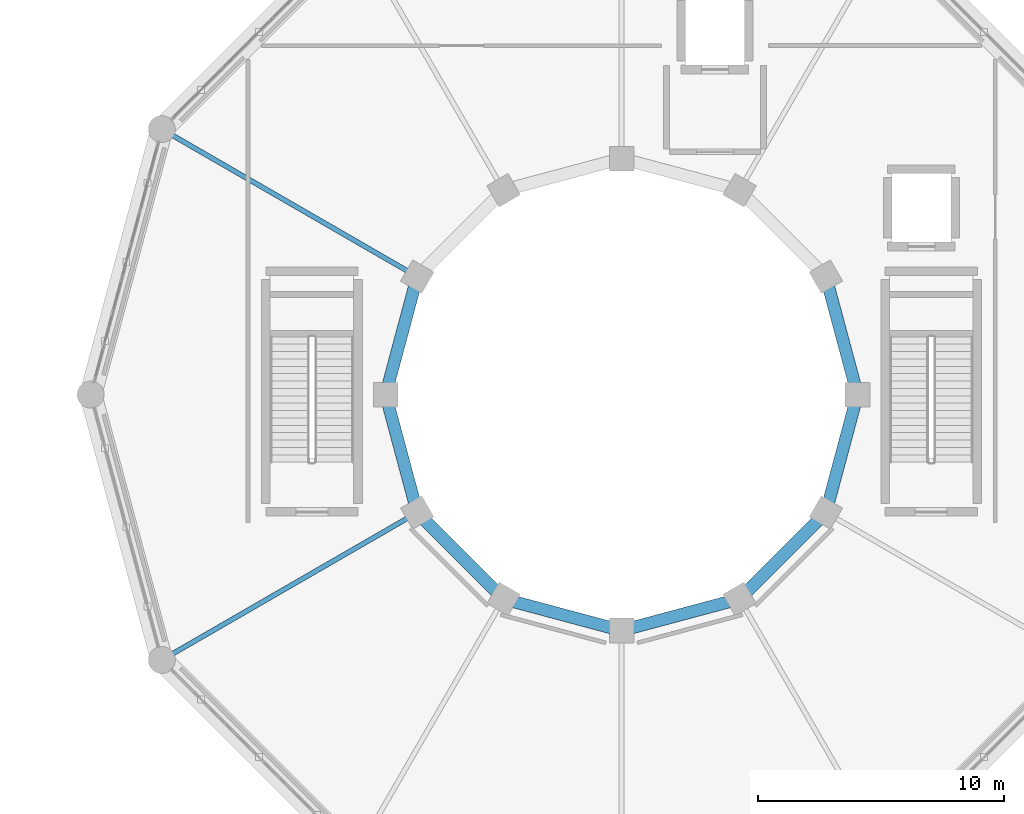
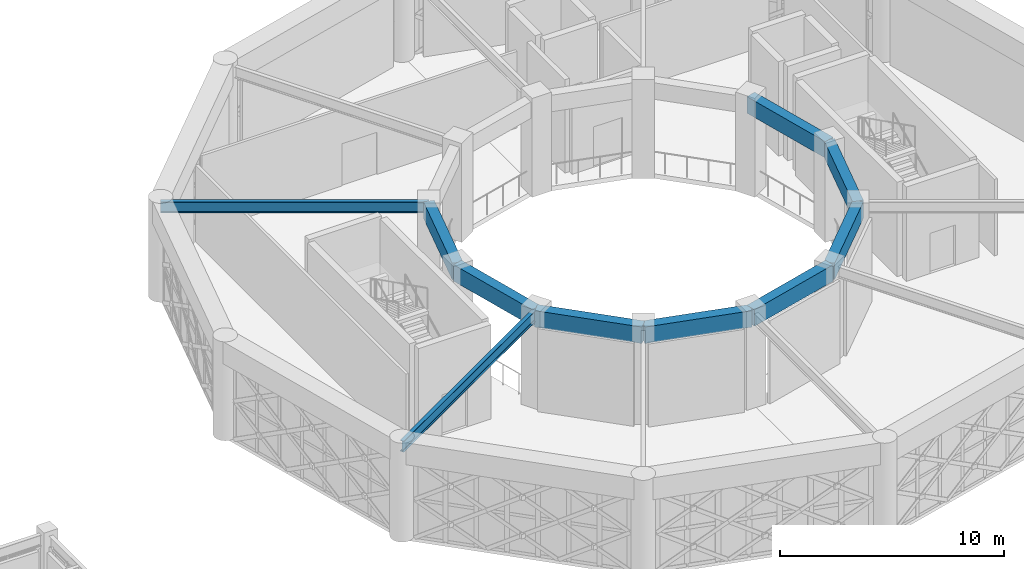
# One storey, part 25 of 72: 10 beams.
"""IFC4 building model written with IfcOpenShell, lengths in metres."""

from ifc_helpers import new_model, si_unit, direction, frame, origin, origin_2d, place, context, subcontext, project, spatial, rectangle, i_section, extrude, material, material_profile, profile_set, type_object, element, save


model = new_model("IFC4")

# Units and contexts
model_context = context("Model", 3, precision=1e-05, world=origin(), true_north=direction((0.0, 1.0)))
body_context = subcontext(model_context, "Body", "Model", "MODEL_VIEW")
ifc_project = project(units=[si_unit("LENGTHUNIT", "METRE"), si_unit("AREAUNIT", "SQUARE_METRE"), si_unit("VOLUMEUNIT", "CUBIC_METRE"), si_unit("PLANEANGLEUNIT", "RADIAN"), si_unit("MASSUNIT", "GRAM", prefix="KILO")], contexts=[model_context])

# Site, building, storey
site_placement = place(None, origin())
site = spatial("IfcSite", under=ifc_project, at=site_placement, CompositionType="ELEMENT")
building_placement = place(site_placement, origin())
building = spatial("IfcBuilding", under=site, at=building_placement, Name="Haizhuo Lancet Aquarium", CompositionType="ELEMENT")
storey_placement = place(building_placement, frame((0.0, 0.0, 21.60009765625)))
storey = spatial("IfcBuildingStorey", under=building, at=storey_placement, Name="L04", CompositionType="ELEMENT", Elevation=21.60009765625)

# Beams
ifc_material_1 = material(Name="Concrete C40/50", Category="concrete")
ifc_material_profile_1 = material_profile(ifc_material_1, rectangle(XDim=0.5, YDim=0.89990234375, at=origin_2d()), Name="RC-BM 500x900")
ifc_profile_set_1 = profile_set([ifc_material_profile_1], Name="Concrete C40/50")
beam_type_1 = type_object("IfcBeamType", Name="BM-RC-500x900", PredefinedType="BEAM", material=ifc_profile_set_1)
for number, where, z_axis, x_axis, name in (
    (1, (9.60009765625, 0.0, 4.699951171875), (-0.258812211902, 0.965927657214, 0.0), (-0.965927657214, -0.258812211902, 0.0), "L04 tank ring beam 1"),
    (2, (-8.31396484375, 4.800048828125, 4.699951171875), (-0.258812211902, -0.965927657214, 0.0), (0.965927657214, -0.258812211902, 0.0), "L04 tank ring beam 6"),
    (3, (-9.60009765625, 0.0, 4.699951171875), (0.258812211902, -0.965927657214, 0.0), (0.965927657214, 0.258812211902, 0.0), "L04 tank ring beam 7"),
    (4, (-8.31396484375, -4.800048828125, 4.699951171875), (0.707106781187, -0.707106781187, 0.0), (0.707106781187, 0.707106781187, 0.0), "L04 tank ring beam 8"),
    (5, (-4.800048828125, -8.31396484375, 4.699951171875), (0.965927657214, -0.258812211902, 0.0), (0.258812211902, 0.965927657214, 0.0), "L04 tank ring beam 9"),
    (6, (0.0, -9.60009765625, 4.699951171875), (0.965927657214, 0.258812211902, 0.0), (-0.258812211902, 0.965927657214, 0.0), "L04 tank ring beam 10"),
    (7, (4.800048828125, -8.31396484375, 4.699951171875), (0.707106781187, 0.707106781187, 0.0), (-0.707106781187, 0.707106781187, 0.0), "L04 tank ring beam 11"),
    (8, (8.31396484375, -4.800048828125, 4.699951171875), (0.258812211902, 0.965927657214, 0.0), (-0.965927657214, 0.258812211902, 0.0), "L04 tank ring beam 12"),
):
    element("IfcBeam", number, at=place(storey_placement, frame(where, z_axis=z_axis, x_axis=x_axis)), inside=storey, type_object=beam_type_1, Name=name, PredefinedType="BEAM", context=body_context, shape_type="SweptSolid", body=[
        extrude(rectangle(XDim=0.5, YDim=0.89990234375, at=origin_2d()), origin(), (0.0, 0.0, 1.0), 4.969482421875),
    ])
ifc_material_2 = material(Name="Steel S355", Category="steel")
ifc_material_profile_2 = material_profile(ifc_material_2, i_section(OverallWidth=0.199951171875, OverallDepth=0.60009765625, WebThickness=0.010986328125, FlangeThickness=0.01708984375, FilletRadius=0.02197265625, at=origin_2d()), Name="HN 600x200x11x17")
ifc_profile_set_2 = profile_set([ifc_material_profile_2], Name="Steel S355")
beam_type_2 = type_object("IfcBeamType", Name="BM-ST-HN600", PredefinedType="BEAM", material=ifc_profile_set_2)
for number, where, z_axis, x_axis, name in (
    (9, (-8.31396484375, 4.800048828125, 4.849853515625), (-0.866020924479, 0.500007758305, 0.0), (-0.500007758305, -0.866020924479, 0.0), "L04 radial gallery girder 6"),
    (10, (-8.31396484375, -4.800048828125, 4.849853515625), (-0.866020924479, -0.500007758305, 0.0), (0.500007758305, -0.866020924479, 0.0), "L04 radial gallery girder 8"),
):
    element("IfcBeam", number, at=place(storey_placement, frame(where, z_axis=z_axis, x_axis=x_axis)), inside=storey, type_object=beam_type_2, Name=name, PredefinedType="BEAM", context=body_context, shape_type="SweptSolid", body=[
        extrude(i_section(OverallWidth=0.199951171875, OverallDepth=0.60009765625, WebThickness=0.010986328125, FlangeThickness=0.01708984375, FilletRadius=0.02197265625, at=origin_2d()), origin(), (0.0, 0.0, 1.0), 11.999755859375),
    ])

save(model, "model.ifc")
